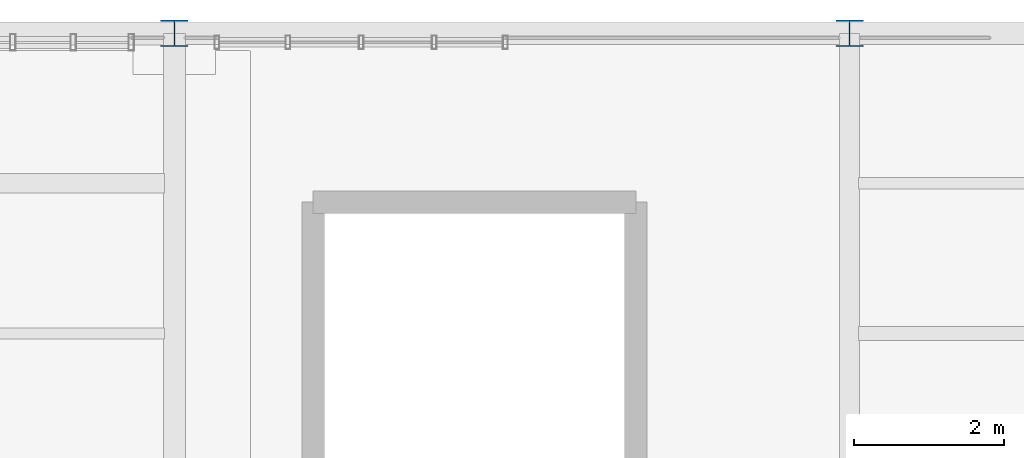
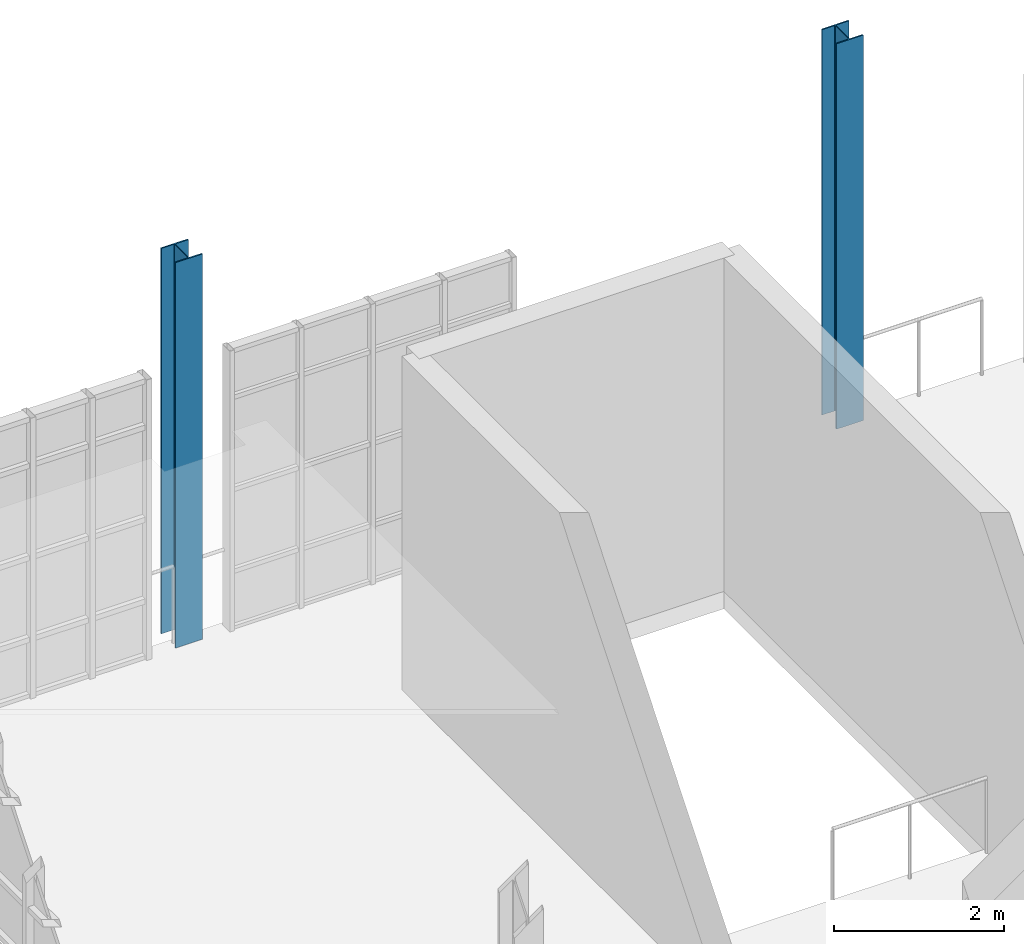
# One storey, part 3 of 36: 2 columns.
"""IFC4 building model written with IfcOpenShell, lengths in metres."""

from ifc_helpers import new_model, si_unit, direction, frame, origin, origin_2d, place, context, subcontext, project, spatial, i_section, extrude, material, material_profile, profile_set, type_object, element, save


model = new_model("IFC4")

# Units and contexts
model_context = context("Model", 3, precision=1e-05, world=origin(), true_north=direction((0.0, 1.0)))
body_context = subcontext(model_context, "Body", "Model", "MODEL_VIEW")
ifc_project = project(units=[si_unit("LENGTHUNIT", "METRE"), si_unit("AREAUNIT", "SQUARE_METRE"), si_unit("VOLUMEUNIT", "CUBIC_METRE"), si_unit("PLANEANGLEUNIT", "RADIAN"), si_unit("MASSUNIT", "GRAM", prefix="KILO"), si_unit("THERMODYNAMICTEMPERATUREUNIT", "KELVIN"), si_unit("POWERUNIT", "WATT")], contexts=[model_context])

# Site, building, storey
site_placement = place(None, origin())
site = spatial("IfcSite", under=ifc_project, at=site_placement, CompositionType="ELEMENT")
building_placement = place(site_placement, origin())
building = spatial("IfcBuilding", under=site, at=building_placement, Name="Zelmaris Science Centre", CompositionType="ELEMENT")
storey_placement = place(building_placement, frame((0.0, 0.0, 25.199951171875)))
storey = spatial("IfcBuildingStorey", under=building, at=storey_placement, Name="L05", CompositionType="ELEMENT", Elevation=25.199951171875)

# Columns
ifc_material = material(Name="Steel ASTM A992 Grade 50", Category="steel")
ifc_material_profile = material_profile(ifc_material, i_section(OverallWidth=0.367919921875, OverallDepth=0.35595703125, WebThickness=0.01123046875, FlangeThickness=0.01806640625, FilletRadius=0.014892578125, at=origin_2d()), Name="W14X90")
ifc_profile_set = profile_set([ifc_material_profile], Name="Steel ASTM A992 Grade 50")
column_type = type_object("IfcColumnType", Name="Column C-07 W14X90", PredefinedType="COLUMN", material=ifc_profile_set)
for number, where, z_axis, x_axis, name in (
    (1, (63.0, 88.0, 0.0), (0.0, 0.0, 1.0), (1.0, 0.0, 0.0), "Column V5-C-63-88 L05"),
    (2, (72.0, 88.0, 0.0), (0.0, 0.0, 1.0), (1.0, 0.0, 0.0), "Column V5-C-72-88 L05"),
):
    element("IfcColumn", number, at=place(storey_placement, frame(where, z_axis=z_axis, x_axis=x_axis)), inside=storey, type_object=column_type, Name=name, PredefinedType="COLUMN", context=body_context, shape_type="SweptSolid", body=[
        extrude(i_section(OverallWidth=0.367919921875, OverallDepth=0.35595703125, WebThickness=0.01123046875, FlangeThickness=0.01806640625, FilletRadius=0.014892578125, at=origin_2d()), origin(), (0.0, 0.0, 1.0), 5.550048828125),
    ])

save(model, "model.ifc")
